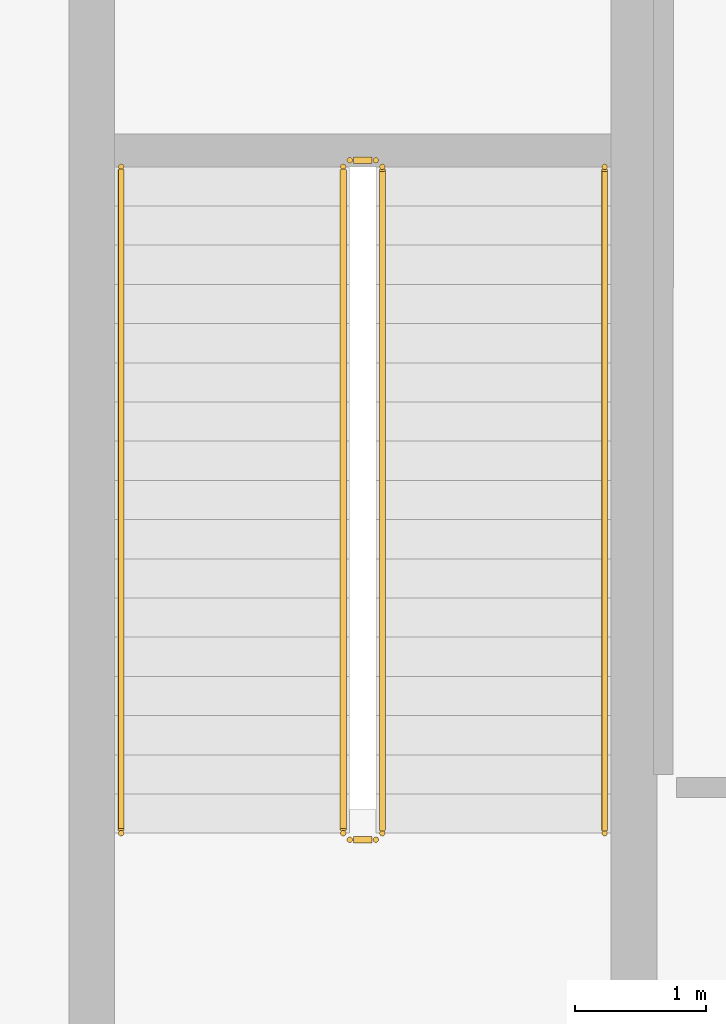
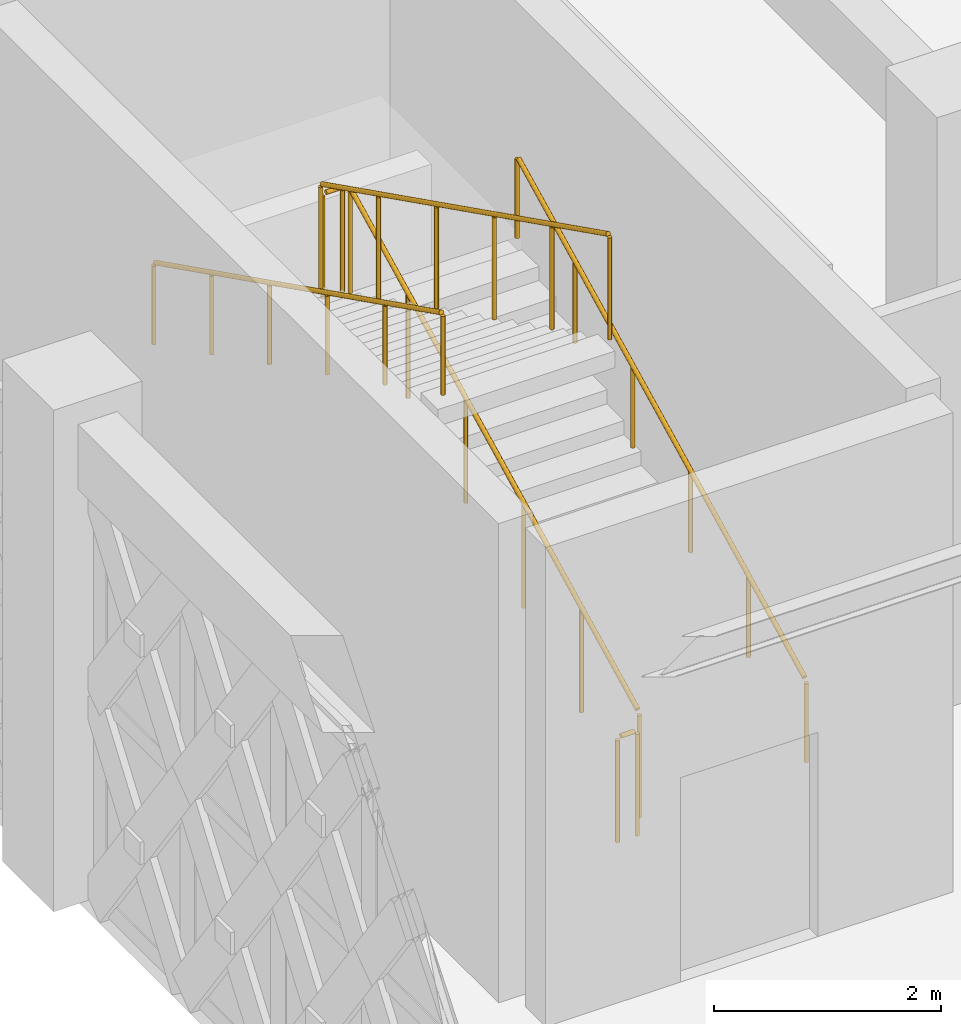
# One storey, part 151 of 155: 6 railings.
"""IFC4 building model written with IfcOpenShell, lengths in metres."""

from ifc_helpers import new_model, si_unit, direction, frame, origin, origin_2d, place, context, subcontext, project, spatial, circle, extrude, material, type_object, element, save


model = new_model("IFC4")

# Units and contexts
model_context = context("Model", 3, precision=1e-05, world=origin(), true_north=direction((0.0, 1.0)))
body_context = subcontext(model_context, "Body", "Model", "MODEL_VIEW")
ifc_project = project(units=[si_unit("LENGTHUNIT", "METRE"), si_unit("AREAUNIT", "SQUARE_METRE"), si_unit("VOLUMEUNIT", "CUBIC_METRE"), si_unit("PLANEANGLEUNIT", "RADIAN"), si_unit("MASSUNIT", "GRAM", prefix="KILO")], contexts=[model_context])

# Site, building, storey
site_placement = place(None, origin())
site = spatial("IfcSite", under=ifc_project, at=site_placement, CompositionType="ELEMENT")
building_placement = place(site_placement, origin())
building = spatial("IfcBuilding", under=site, at=building_placement, Name="Haizhuo Lancet Aquarium", CompositionType="ELEMENT")
storey_placement = place(building_placement, frame((0.0, 0.0, 10.800048828125)))
storey = spatial("IfcBuildingStorey", under=building, at=storey_placement, Name="L02", CompositionType="ELEMENT", Elevation=10.800048828125)

# Railings
ifc_material = material(Name="Steel S355", Category="steel")
railing_type_1 = type_object("IfcRailingType", Name="RL-GRD-1150", PredefinedType="GUARDRAIL", material=ifc_material)
railing_1_placement = place(storey_placement, frame((-22.35009765625, 43.050048828125, 0.14990234375)))
element("IfcRailing", 1, at=railing_1_placement, inside=storey, type_object=railing_type_1, Name="L02 ST-07 stair guard 1", PredefinedType="GUARDRAIL", context=body_context, shape_type="SweptSolid", body=[
    extrude(circle(Radius=0.02392578125, at=origin_2d()), frame((0.0, 0.02685546875, 1.13916015625), z_axis=(0.0, 0.894418627299, 0.447230722492), x_axis=(-1.0, 0.0, 0.0)), (0.0, 0.0, 1.0), 5.641845703125),
    extrude(circle(Radius=0.02099609375, at=origin_2d()), origin(), (0.0, 0.0, 1.0), 1.097900390625),
    extrude(circle(Radius=0.02099609375, at=origin_2d()), frame((0.0, 1.02001953125, 0.510009765625)), (0.0, 0.0, 1.0), 1.097900390625),
    extrude(circle(Radius=0.02099609375, at=origin_2d()), frame((0.0, 2.0400390625, 1.02001953125)), (0.0, 0.0, 1.0), 1.097900390625),
    extrude(circle(Radius=0.02099609375, at=origin_2d()), frame((0.0, 3.059814453125, 1.530029296875)), (0.0, 0.0, 1.0), 1.097900390625),
    extrude(circle(Radius=0.02099609375, at=origin_2d()), frame((0.0, 4.079833984375, 2.0400390625)), (0.0, 0.0, 1.0), 1.097900390625),
    extrude(circle(Radius=0.02099609375, at=origin_2d()), frame((0.0, 5.099853515625, 2.550048828125)), (0.0, 0.0, 1.0), 1.097900390625),
])
railing_2_placement = place(storey_placement, frame((-22.39990234375, 48.199951171875, 2.699951171875)))
element("IfcRailing", 2, at=railing_2_placement, inside=storey, type_object=railing_type_1, Name="L02 ST-07 stair guard 2", PredefinedType="GUARDRAIL", context=body_context, shape_type="SweptSolid", body=[
    extrude(circle(Radius=0.02392578125, at=origin_2d()), frame((-0.030029296875, 0.0, 1.1259765625), z_axis=(-1.0, 0.0, 0.0), x_axis=(0.0, -1.0, 0.0)), (0.0, 0.0, 1.0), 0.14013671875),
    extrude(circle(Radius=0.02099609375, at=origin_2d()), origin(), (0.0, 0.0, 1.0), 1.097900390625),
    extrude(circle(Radius=0.02099609375, at=origin_2d()), frame((-0.2001953125, 0.0, 0.0)), (0.0, 0.0, 1.0), 1.097900390625),
])
railing_3_placement = place(storey_placement, frame((-22.64990234375, 48.14990234375, 2.849853515625)))
element("IfcRailing", 3, at=railing_3_placement, inside=storey, type_object=railing_type_1, Name="L02 ST-07 stair guard 3", PredefinedType="GUARDRAIL", context=body_context, shape_type="SweptSolid", body=[
    extrude(circle(Radius=0.02392578125, at=origin_2d()), frame((0.0, -0.02685546875, 1.13916015625), z_axis=(0.0, -0.894418627299, 0.447230722492), x_axis=(1.0, 0.0, 0.0)), (0.0, 0.0, 1.0), 5.641845703125),
    extrude(circle(Radius=0.02099609375, at=origin_2d()), origin(), (0.0, 0.0, 1.0), 1.097900390625),
    extrude(circle(Radius=0.02099609375, at=origin_2d()), frame((0.0, -1.02001953125, 0.510009765625)), (0.0, 0.0, 1.0), 1.097900390625),
    extrude(circle(Radius=0.02099609375, at=origin_2d()), frame((0.0, -2.0400390625, 1.02001953125)), (0.0, 0.0, 1.0), 1.097900390625),
    extrude(circle(Radius=0.02099609375, at=origin_2d()), frame((0.0, -3.059814453125, 1.530029296875)), (0.0, 0.0, 1.0), 1.097900390625),
    extrude(circle(Radius=0.02099609375, at=origin_2d()), frame((0.0, -4.079833984375, 2.0400390625)), (0.0, 0.0, 1.0), 1.097900390625),
    extrude(circle(Radius=0.02099609375, at=origin_2d()), frame((0.0, -5.099853515625, 2.550048828125)), (0.0, 0.0, 1.0), 1.097900390625),
])
railing_4_placement = place(storey_placement, frame((-22.39990234375, 43.0, 0.0)))
element("IfcRailing", 4, at=railing_4_placement, inside=storey, type_object=railing_type_1, Name="L02 ST-07 stair guard 4", PredefinedType="GUARDRAIL", context=body_context, shape_type="SweptSolid", body=[
    extrude(circle(Radius=0.02392578125, at=origin_2d()), frame((-0.030029296875, 0.0, 1.1259765625), z_axis=(-1.0, 0.0, 0.0), x_axis=(0.0, -1.0, 0.0)), (0.0, 0.0, 1.0), 0.14013671875),
    extrude(circle(Radius=0.02099609375, at=origin_2d()), origin(), (0.0, 0.0, 1.0), 1.097900390625),
    extrude(circle(Radius=0.02099609375, at=origin_2d()), frame((-0.2001953125, 0.0, 0.0)), (0.0, 0.0, 1.0), 1.097900390625),
])
railing_type_2 = type_object("IfcRailingType", Name="RL-HDR-900", PredefinedType="HANDRAIL", material=ifc_material)
railing_5_placement = place(storey_placement, frame((-20.64990234375, 43.050048828125, 0.14990234375)))
element("IfcRailing", 5, at=railing_5_placement, inside=storey, type_object=railing_type_2, Name="L02 ST-07 pitch handrail 1", PredefinedType="HANDRAIL", context=body_context, shape_type="SweptSolid", body=[
    extrude(circle(Radius=0.02392578125, at=origin_2d()), frame((0.0, 0.02685546875, 0.88916015625), z_axis=(0.0, 0.894418627299, 0.447230722492), x_axis=(-1.0, 0.0, 0.0)), (0.0, 0.0, 1.0), 5.641845703125),
    extrude(circle(Radius=0.02099609375, at=origin_2d()), origin(), (0.0, 0.0, 1.0), 0.847900390625),
    extrude(circle(Radius=0.02099609375, at=origin_2d()), frame((0.0, 1.02001953125, 0.510009765625)), (0.0, 0.0, 1.0), 0.847900390625),
    extrude(circle(Radius=0.02099609375, at=origin_2d()), frame((0.0, 2.0400390625, 1.02001953125)), (0.0, 0.0, 1.0), 0.847900390625),
    extrude(circle(Radius=0.02099609375, at=origin_2d()), frame((0.0, 3.059814453125, 1.530029296875)), (0.0, 0.0, 1.0), 0.847900390625),
    extrude(circle(Radius=0.02099609375, at=origin_2d()), frame((0.0, 4.079833984375, 2.0400390625)), (0.0, 0.0, 1.0), 0.847900390625),
    extrude(circle(Radius=0.02099609375, at=origin_2d()), frame((0.0, 5.099853515625, 2.550048828125)), (0.0, 0.0, 1.0), 0.847900390625),
])
railing_6_placement = place(storey_placement, frame((-24.35009765625, 48.14990234375, 2.849853515625)))
element("IfcRailing", 6, at=railing_6_placement, inside=storey, type_object=railing_type_2, Name="L02 ST-07 pitch handrail 2", PredefinedType="HANDRAIL", context=body_context, shape_type="SweptSolid", body=[
    extrude(circle(Radius=0.02392578125, at=origin_2d()), frame((0.0, -0.02685546875, 0.88916015625), z_axis=(0.0, -0.894418627299, 0.447230722492), x_axis=(1.0, 0.0, 0.0)), (0.0, 0.0, 1.0), 5.641845703125),
    extrude(circle(Radius=0.02099609375, at=origin_2d()), origin(), (0.0, 0.0, 1.0), 0.847900390625),
    extrude(circle(Radius=0.02099609375, at=origin_2d()), frame((0.0, -1.02001953125, 0.510009765625)), (0.0, 0.0, 1.0), 0.847900390625),
    extrude(circle(Radius=0.02099609375, at=origin_2d()), frame((0.0, -2.0400390625, 1.02001953125)), (0.0, 0.0, 1.0), 0.847900390625),
    extrude(circle(Radius=0.02099609375, at=origin_2d()), frame((0.0, -3.059814453125, 1.530029296875)), (0.0, 0.0, 1.0), 0.847900390625),
    extrude(circle(Radius=0.02099609375, at=origin_2d()), frame((0.0, -4.079833984375, 2.0400390625)), (0.0, 0.0, 1.0), 0.847900390625),
    extrude(circle(Radius=0.02099609375, at=origin_2d()), frame((0.0, -5.099853515625, 2.550048828125)), (0.0, 0.0, 1.0), 0.847900390625),
])

save(model, "model.ifc")
